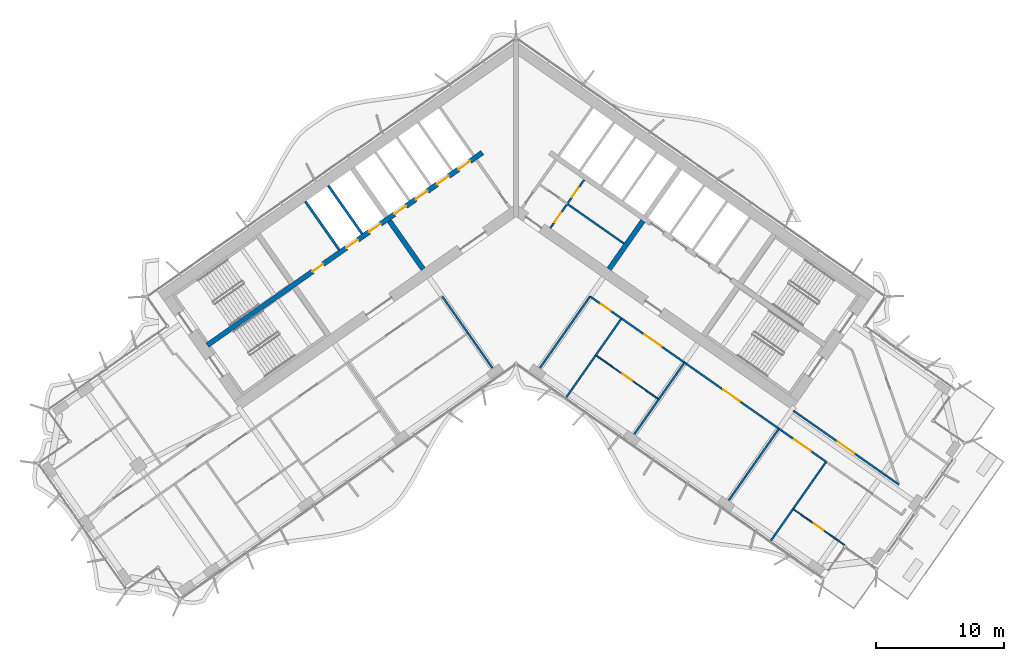
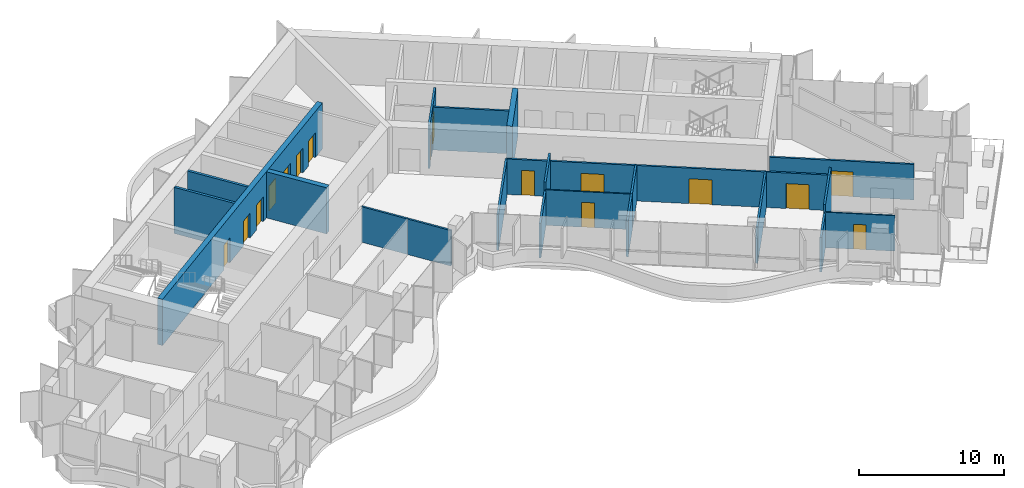
# One storey, part 14 of 23: 24 walls, 16 doors, 16 openings.
"""IFC4 building model written with IfcOpenShell, lengths in metres."""

import ifcopenshell
import ifcopenshell.guid

model = None  # the IFC model being written
_history = None  # IfcOwnerHistory: only IFC2X3 demands one
_inside = {}  # id of a spatial element -> (the spatial element, [elements in it])
_under = {}  # id of a project, library or spatial element -> (it, [spatial elements below it])
_declared = {}  # id of a project -> (the project, [libraries it declares])
_typed = {}  # id of a type object -> (the type object, [elements of that type])
_made_of = {}  # id of a material, layer set ... -> (it, [elements and type objects made of it])


def new_model(schema):
    """Start an empty IFC model of exactly this schema.

    Asked for "IFC4X3", IfcOpenShell would pick the latest addendum, in which some entities
    have other attributes; the version numbers below select the first issue.
    IFC2X3 requires an IfcOwnerHistory on every rooted entity: one is made here for all.
    """
    global model, _history
    if schema == "IFC4X3":
        model = ifcopenshell.file(schema_version=(4, 3, 0, 0))
    else:
        model = ifcopenshell.file(schema=schema)
    _inside.clear()
    _under.clear()
    _declared.clear()
    _typed.clear()
    _made_of.clear()
    _history = None
    if model.schema == "IFC2X3":
        org = make("IfcOrganization", Name="unknown")
        user = make(
            "IfcPersonAndOrganization",
            ThePerson=make("IfcPerson", FamilyName="unknown"),
            TheOrganization=org,
        )
        app = make(
            "IfcApplication",
            ApplicationDeveloper=org,
            Version="unknown",
            ApplicationFullName="unknown",
            ApplicationIdentifier="unknown",
        )
        _history = make(
            "IfcOwnerHistory",
            OwningUser=user,
            OwningApplication=app,
            ChangeAction="ADDED",
            CreationDate=0,
        )
    return model


def make(cls, **values):
    """One entity of the class cls with the attributes given. An attribute that is None is left unset."""
    return model.create_entity(
        cls, **{name: value for name, value in values.items() if value is not None}
    )


def rooted(cls, **values):
    """An entity with a GlobalId (a new one), such as an element, a storey or a relation."""
    return make(cls, GlobalId=ifcopenshell.guid.new(), OwnerHistory=_history, **values)


def si_unit(unit_type, name, prefix=None):
    """IfcSIUnit, for example si_unit("LENGTHUNIT", "METRE", prefix="MILLI")."""
    return make("IfcSIUnit", UnitType=unit_type, Prefix=prefix, Name=name)


def assignment(units):
    """IfcUnitAssignment: the units of a project."""
    return None if units is None else make("IfcUnitAssignment", Units=units)


def point(xyz):
    """IfcCartesianPoint."""
    return None if xyz is None else make("IfcCartesianPoint", Coordinates=xyz)


def direction(xyz):
    """IfcDirection."""
    return None if xyz is None else make("IfcDirection", DirectionRatios=xyz)


def frame(location, z_axis=None, x_axis=None):
    """IfcAxis2Placement3D, a coordinate frame: its origin and axes. An axis left out is left unset."""
    return make(
        "IfcAxis2Placement3D",
        Location=point(location),
        Axis=direction(z_axis),
        RefDirection=direction(x_axis),
    )


def frame_2d(location, x_axis=None):
    """IfcAxis2Placement2D, a coordinate frame in the plane: its origin and x axis."""
    return make(
        "IfcAxis2Placement2D", Location=point(location), RefDirection=direction(x_axis)
    )


def origin():
    """The frame at (0, 0, 0) with its axes left unset."""
    return frame((0.0, 0.0, 0.0))


def place(relative_to, where):
    """IfcLocalPlacement: puts the frame where relative to a parent placement (None: the world)."""
    return make(
        "IfcLocalPlacement", PlacementRelTo=relative_to, RelativePlacement=where
    )


def context(
    kind, dimensions, precision=None, world=None, true_north=None, identifier=None
):
    """IfcGeometricRepresentationContext, for example the 3D "Model" context."""
    return make(
        "IfcGeometricRepresentationContext",
        ContextIdentifier=identifier,
        ContextType=kind,
        CoordinateSpaceDimension=dimensions,
        Precision=precision,
        WorldCoordinateSystem=world,
        TrueNorth=true_north,
    )


def subcontext(parent, identifier, kind, view, scale=None):
    """IfcGeometricRepresentationSubContext, for example "Body" below "Model"."""
    return make(
        "IfcGeometricRepresentationSubContext",
        ContextIdentifier=identifier,
        ContextType=kind,
        ParentContext=parent,
        TargetScale=scale,
        TargetView=view,
    )


def project(units=None, contexts=None):
    """IfcProject with its units and contexts."""
    return rooted(
        "IfcProject",
        Name="project",
        RepresentationContexts=contexts,
        UnitsInContext=assignment(units),
    )


def spatial(cls, under=None, at=None, **own):
    """A site, building, storey or space (cls), placed at a placement, below another one or the project."""
    s = rooted(cls, ObjectPlacement=at, **own)
    if under is not None:
        _under.setdefault(under.id(), (under, []))[1].append(s)
    return s


def polyline(points):
    """IfcPolyline through the points."""
    return make("IfcPolyline", Points=[point(p) for p in points])


def profile(cls, at=None, kind="AREA", **sizes):
    """A parametric profile (cls). Its sizes go by their IFC names, for example OverallWidth=200.0."""
    return make(cls, ProfileType=kind, Position=at, **sizes)


def rectangle(**sizes):
    """IfcRectangleProfileDef."""
    return profile("IfcRectangleProfileDef", **sizes)


def outline(outer, holes=None, kind="AREA"):
    """IfcArbitraryClosedProfileDef: a profile drawn as a closed curve; with holes, ...WithVoids."""
    if holes is None:
        return make("IfcArbitraryClosedProfileDef", ProfileType=kind, OuterCurve=outer)
    return make(
        "IfcArbitraryProfileDefWithVoids",
        ProfileType=kind,
        OuterCurve=outer,
        InnerCurves=holes,
    )


def extrude(swept, where, along, depth):
    """IfcExtrudedAreaSolid: the profile swept, set in the frame where, extruded along a direction by depth."""
    return make(
        "IfcExtrudedAreaSolid",
        SweptArea=swept,
        Position=where,
        ExtrudedDirection=direction(along),
        Depth=depth,
    )


def shape(context_of_items, identifier, shape_type, items):
    """IfcShapeRepresentation: the items that make up one representation, for example the "Body"."""
    return make(
        "IfcShapeRepresentation",
        ContextOfItems=context_of_items,
        RepresentationIdentifier=identifier,
        RepresentationType=shape_type,
        Items=items,
    )


def material(Name=None, Category=None):
    """IfcMaterial."""
    return make("IfcMaterial", Name=Name, Category=Category)


def layer(
    of_material, thickness, ventilated=None, Name=None, Category=None, Priority=None
):
    """IfcMaterialLayer: one layer of a wall or slab, of a material (None: an air gap)."""
    return make(
        "IfcMaterialLayer",
        Material=of_material,
        LayerThickness=thickness,
        IsVentilated=ventilated,
        Name=Name,
        Category=Category,
        Priority=Priority,
    )


def layer_set(layers, Name=None):
    """IfcMaterialLayerSet."""
    return make("IfcMaterialLayerSet", MaterialLayers=layers, LayerSetName=Name)


def made_of(thing, what):
    """Note that an element or type object is made of a material, layer set ...; save() writes the relation."""
    if what is not None:
        _made_of.setdefault(what.id(), (what, []))[1].append(thing)
    return thing


def type_object(cls, material=None, **own):
    """A type object (cls), such as IfcWallType, which elements share."""
    return made_of(rooted(cls, **own), material)


def element(
    cls,
    number,
    at=None,
    inside=None,
    cuts=None,
    type_object=None,
    material=None,
    context=None,
    identifier="Body",
    shape_type=None,
    held_by="IfcProductDefinitionShape",
    body=None,
    shapes=None,
    **own,
):
    """One element of the class cls, such as IfcWall. Its Tag is "e" and its number.

    at: its placement. inside: the storey or other place that contains it. cuts: it is an
    opening in that element (IfcRelVoidsElement). A single representation is given by context,
    identifier, shape_type and body (its items); several are given by shapes. held_by: the class
    of the entity that holds the representations. save() writes the other relations.
    """
    e = rooted(cls, Tag="e%d" % number, ObjectPlacement=at, **own)
    if body is not None:
        shapes = [shape(context, identifier, shape_type, body)]
    if shapes is not None:
        e.Representation = make(held_by, Representations=shapes)
    if inside is not None:
        _inside.setdefault(inside.id(), (inside, []))[1].append(e)
    if cuts is not None:
        rooted(
            "IfcRelVoidsElement", RelatingBuildingElement=cuts, RelatedOpeningElement=e
        )
    if type_object is not None:
        _typed.setdefault(type_object.id(), (type_object, []))[1].append(e)
    return made_of(e, material)


def fill(opening, filler):
    """IfcRelFillsElement: the door or window that sits in an opening."""
    return rooted(
        "IfcRelFillsElement",
        RelatingOpeningElement=opening,
        RelatedBuildingElement=filler,
    )


def aggregate(whole, parts):
    """IfcRelAggregates: a whole, such as a stair, and the parts it consists of."""
    return rooted("IfcRelAggregates", RelatingObject=whole, RelatedObjects=parts)


def save(model, path):
    """Write the relations noted so far, then the file.

    IfcRelAggregates (storeys below a building ...), IfcRelContainedInSpatialStructure (elements
    in a storey), IfcRelDefinesByType, IfcRelAssociatesMaterial and IfcRelDeclares: one each for
    every whole, place, type object, material and project.
    """
    for whole, parts in _under.values():
        aggregate(whole, parts)
    for where, things in _inside.values():
        rooted(
            "IfcRelContainedInSpatialStructure",
            RelatedElements=things,
            RelatingStructure=where,
        )
    for kind, things in _typed.values():
        rooted("IfcRelDefinesByType", RelatedObjects=things, RelatingType=kind)
    for what, things in _made_of.values():
        rooted("IfcRelAssociatesMaterial", RelatedObjects=things, RelatingMaterial=what)
    for by, libraries in _declared.values():
        rooted("IfcRelDeclares", RelatingContext=by, RelatedDefinitions=libraries)
    model.write(path)


model = new_model("IFC4")

# Units and contexts
model_context = context("Model", 3, precision=1e-05, world=origin(), true_north=direction((0.0, 1.0)))
body_context = subcontext(model_context, "Body", "Model", "MODEL_VIEW")
ifc_project = project(units=[si_unit("LENGTHUNIT", "METRE"), si_unit("AREAUNIT", "SQUARE_METRE"), si_unit("VOLUMEUNIT", "CUBIC_METRE"), si_unit("PLANEANGLEUNIT", "RADIAN"), si_unit("MASSUNIT", "GRAM", prefix="KILO")], contexts=[model_context])

# Site, building, storey
site_placement = place(None, origin())
site = spatial("IfcSite", under=ifc_project, at=site_placement, CompositionType="ELEMENT")
building_placement = place(site_placement, origin())
building = spatial("IfcBuilding", under=site, at=building_placement, Name="Tel Ilan Convention Tower", CompositionType="ELEMENT")
storey_placement = place(building_placement, frame((0.0, 0.0, 190.5)))
storey = spatial("IfcBuildingStorey", under=building, at=storey_placement, Name="L44", CompositionType="ELEMENT", Elevation=190.5)

# Wall, openings, doors
ifc_material_1 = material(Name="Gypsum Plasterboard on Steel Stud", Category="steel")
ifc_layer_1 = layer(ifc_material_1, 0.14990234375)
ifc_layer_set_1 = layer_set([ifc_layer_1], Name="Core Room Partition Wall 150 mm EI 60")
wall_type_1 = type_object("IfcWallType", Name="Core Room Partition Wall 150 mm EI 60", PredefinedType="PARTITIONING", material=ifc_layer_set_1)
wall_1_placement = place(storey_placement, frame((2.67041015625, -2.114013671875, 0.0), z_axis=(0.0, 0.0, 1.0), x_axis=(0.573576324356, 0.819152122709, 0.0)))
wall_1 = element("IfcWall", 1, at=wall_1_placement, inside=storey, type_object=wall_type_1, Name="L44 core wall wc-v1", PredefinedType="PARTITIONING", context=body_context, shape_type="SweptSolid", body=[
    extrude(rectangle(XDim=4.599853515625, YDim=0.14990234375, at=frame_2d((2.2998046875, 0.0))), origin(), (0.0, 0.0, 1.0), 3.6201171875),
])
opening_1_placement = place(wall_1_placement, frame((0.550048828125, 0.0, 0.0)))
opening_1 = element("IfcOpeningElement", 2, at=opening_1_placement, cuts=wall_1, Name="Opening CD3410", PredefinedType="OPENING", context=body_context, shape_type="SweptSolid", body=[
    extrude(rectangle(XDim=0.89990234375, YDim=2.10009765625, at=frame_2d((0.449951171875, 1.050048828125))), frame((0.0, 0.0849609375, 0.0), z_axis=(0.0, -1.0, 0.0), x_axis=(1.0, 0.0, 0.0)), (0.0, 0.0, 1.0), 0.169921875),
])
opening_2_placement = place(wall_1_placement, frame((2.949951171875, 0.0, 0.0)))
opening_2 = element("IfcOpeningElement", 3, at=opening_2_placement, cuts=wall_1, Name="Opening CD3411", PredefinedType="OPENING", context=body_context, shape_type="SweptSolid", body=[
    extrude(rectangle(XDim=0.89990234375, YDim=2.10009765625, at=frame_2d((0.449951171875, 1.050048828125))), frame((0.0, 0.0849609375, 0.0), z_axis=(0.0, -1.0, 0.0), x_axis=(1.0, 0.0, 0.0)), (0.0, 0.0, 1.0), 0.169921875),
])
ifc_material_2 = material(Name="Laminated Timber Door Leaf", Category="wood")
door_type_1 = type_object("IfcDoorType", Name="Toilet Door 900 x 2100 FD30S", OperationType="NOTDEFINED", PredefinedType="DOOR", material=ifc_material_2)
door_1_placement = place(opening_1_placement, origin())
door_1 = element("IfcDoor", 4, at=door_1_placement, inside=storey, type_object=door_type_1, Name="Women's WC door", OperationType="SINGLE_SWING_RIGHT", OverallHeight=2.10009765625, OverallWidth=0.89990234375, PredefinedType="DOOR", context=body_context, shape_type="SweptSolid", body=[
    extrude(rectangle(XDim=0.89990234375, YDim=2.10009765625, at=frame_2d((0.449951171875, 1.050048828125))), frame((0.0, 0.02490234375, 0.0), z_axis=(0.0, -1.0, 0.0), x_axis=(1.0, 0.0, 0.0)), (0.0, 0.0, 1.0), 0.050048828125),
])
fill(opening_1, door_1)
door_2_placement = place(opening_2_placement, origin())
door_2 = element("IfcDoor", 5, at=door_2_placement, inside=storey, type_object=door_type_1, Name="Men's WC door", OperationType="SINGLE_SWING_RIGHT", OverallHeight=2.10009765625, OverallWidth=0.89990234375, PredefinedType="DOOR", context=body_context, shape_type="SweptSolid", body=[
    extrude(rectangle(XDim=0.89990234375, YDim=2.10009765625, at=frame_2d((0.449951171875, 1.050048828125))), frame((0.0, 0.02490234375, 0.0), z_axis=(0.0, -1.0, 0.0), x_axis=(1.0, 0.0, 0.0)), (0.0, 0.0, 1.0), 0.050048828125),
])
fill(opening_2, door_2)

# Walls
wall_2_placement = place(storey_placement, frame((3.989501953125, -0.22998046875, 0.0), z_axis=(0.0, 0.0, 1.0), x_axis=(0.819153326956, -0.573574604508, 0.0)))
element("IfcWall", 6, at=wall_2_placement, inside=storey, type_object=wall_type_1, Name="L44 core wall wc-h2", PredefinedType="PARTITIONING", context=body_context, shape_type="SweptSolid", body=[
    extrude(rectangle(XDim=5.400146484375, YDim=0.14990234375, at=frame_2d((2.7001953125, 0.0))), origin(), (0.0, 0.0, 1.0), 3.6201171875),
])
ifc_material_3 = material(Name="Concrete C50/60", Category="concrete")
ifc_layer_2 = layer(ifc_material_3, 0.39990234375)
ifc_layer_set_2 = layer_set([ifc_layer_2], Name="Core Shear Wall 400 mm C50/60")
wall_type_2 = type_object("IfcWallType", Name="Core Shear Wall 400 mm C50/60", PredefinedType="SHEAR", material=ifc_layer_set_2)
wall_3_placement = place(storey_placement, frame((-7.2578125, -5.325927734375, 0.0), z_axis=(0.0, 0.0, 1.0), x_axis=(-0.573540709186, 0.819177059558, 0.0)))
element("IfcWall", 7, at=wall_3_placement, inside=storey, type_object=wall_type_2, Name="L44 core wall W-cross1-1", PredefinedType="SHEAR", context=body_context, shape_type="SweptSolid", body=[
    extrude(outline(polyline([(4.599853515625, 0.2001953125), (-0.000244140625, 0.199951171875), (-0.000244140625, -0.2001953125), (4.599853515625, -0.199951171875), (4.599853515625, 0.2001953125)])), origin(), (0.0, 0.0, 1.0), 3.89990234375),
])

# Wall, openings, doors
wall_4_placement = place(storey_placement, frame((-2.638427734375, 3.76806640625, 0.0), z_axis=(0.0, 0.0, 1.0), x_axis=(-0.81915267502, -0.573575535572, 0.0)))
wall_4 = element("IfcWall", 8, at=wall_4_placement, inside=storey, type_object=wall_type_2, Name="L44 core wall W-spine", PredefinedType="SHEAR", context=body_context, shape_type="SweptSolid", body=[
    extrude(outline(polyline([(26.199951171875, 0.199951171875), (0.0, 0.199951171875), (0.0, -0.199951171875), (26.199951171875, -0.199951171875), (26.199951171875, 0.199951171875)])), origin(), (0.0, 0.0, 1.0), 3.89990234375),
])
opening_3_placement = place(wall_4_placement, frame((1.168701171875, 0.0, 0.0)))
opening_3 = element("IfcOpeningElement", 9, at=opening_3_placement, cuts=wall_4, Name="Opening LD3404", PredefinedType="OPENING", context=body_context, shape_type="SweptSolid", body=[
    extrude(rectangle(XDim=1.10009765625, YDim=2.10009765625, at=frame_2d((0.550048828125, 1.050048828125))), frame((0.0, 0.2099609375, 0.0), z_axis=(0.0, -1.0, 0.0), x_axis=(1.0, 0.0, 0.0)), (0.0, 0.0, 1.0), 0.419921875),
])
opening_4_placement = place(wall_4_placement, frame((3.206298828125, 0.0, 0.0)))
opening_4 = element("IfcOpeningElement", 10, at=opening_4_placement, cuts=wall_4, Name="Opening LD3405", PredefinedType="OPENING", context=body_context, shape_type="SweptSolid", body=[
    extrude(rectangle(XDim=1.10009765625, YDim=2.10009765625, at=frame_2d((0.550048828125, 1.050048828125))), frame((0.0, 0.2099609375, 0.0), z_axis=(0.0, -1.0, 0.0), x_axis=(1.0, 0.0, 0.0)), (0.0, 0.0, 1.0), 0.419921875),
])
opening_5_placement = place(wall_4_placement, frame((5.24365234375, 0.0, 0.0)))
opening_5 = element("IfcOpeningElement", 11, at=opening_5_placement, cuts=wall_4, Name="Opening LD3406", PredefinedType="OPENING", context=body_context, shape_type="SweptSolid", body=[
    extrude(rectangle(XDim=1.10009765625, YDim=2.10009765625, at=frame_2d((0.550048828125, 1.050048828125))), frame((0.0, 0.2099609375, 0.0), z_axis=(0.0, -1.0, 0.0), x_axis=(1.0, 0.0, 0.0)), (0.0, 0.0, 1.0), 0.419921875),
])
opening_6_placement = place(wall_4_placement, frame((7.28125, 0.0, 0.0)))
opening_6 = element("IfcOpeningElement", 12, at=opening_6_placement, cuts=wall_4, Name="Opening LD3407", PredefinedType="OPENING", context=body_context, shape_type="SweptSolid", body=[
    extrude(rectangle(XDim=1.10009765625, YDim=2.10009765625, at=frame_2d((0.550048828125, 1.050048828125))), frame((0.0, 0.2099609375, 0.0), z_axis=(0.0, -1.0, 0.0), x_axis=(1.0, 0.0, 0.0)), (0.0, 0.0, 1.0), 0.419921875),
])
opening_7_placement = place(wall_4_placement, frame((9.6875, 0.0, 0.0)))
opening_7 = element("IfcOpeningElement", 13, at=opening_7_placement, cuts=wall_4, Name="Opening LD3408", PredefinedType="OPENING", context=body_context, shape_type="SweptSolid", body=[
    extrude(rectangle(XDim=1.10009765625, YDim=2.10009765625, at=frame_2d((0.550048828125, 1.050048828125))), frame((0.0, 0.2099609375, 0.0), z_axis=(0.0, -1.0, 0.0), x_axis=(1.0, 0.0, 0.0)), (0.0, 0.0, 1.0), 0.419921875),
])
opening_8_placement = place(wall_4_placement, frame((11.862548828125, 0.0, 0.0)))
opening_8 = element("IfcOpeningElement", 14, at=opening_8_placement, cuts=wall_4, Name="Opening LD3409", PredefinedType="OPENING", context=body_context, shape_type="SweptSolid", body=[
    extrude(rectangle(XDim=1.10009765625, YDim=2.10009765625, at=frame_2d((0.550048828125, 1.050048828125))), frame((0.0, 0.2099609375, 0.0), z_axis=(0.0, -1.0, 0.0), x_axis=(1.0, 0.0, 0.0)), (0.0, 0.0, 1.0), 0.419921875),
])
opening_9_placement = place(wall_4_placement, frame((15.175048828125, 0.0, 0.0)))
opening_9 = element("IfcOpeningElement", 15, at=opening_9_placement, cuts=wall_4, Name="Opening CD3408", PredefinedType="OPENING", context=body_context, shape_type="SweptSolid", body=[
    extrude(rectangle(XDim=1.0, YDim=2.10009765625, at=frame_2d((0.5, 1.050048828125))), frame((0.0, 0.2099609375, 0.0), z_axis=(0.0, -1.0, 0.0), x_axis=(1.0, 0.0, 0.0)), (0.0, 0.0, 1.0), 0.419921875),
])
ifc_material_4 = material(Name="Stainless Steel Sliding Door Leaf", Category="steel")
door_type_2 = type_object("IfcDoorType", Name="Lift Landing Door 1100 x 2100 FD120", OperationType="NOTDEFINED", PredefinedType="DOOR", material=ifc_material_4)
door_3_placement = place(opening_3_placement, origin())
door_3 = element("IfcDoor", 16, at=door_3_placement, inside=storey, type_object=door_type_2, Name="Lift LR1 landing door", OperationType="SLIDING_TO_LEFT", OverallHeight=2.10009765625, OverallWidth=1.10009765625, PredefinedType="DOOR", context=body_context, shape_type="SweptSolid", body=[
    extrude(rectangle(XDim=1.10009765625, YDim=2.10009765625, at=frame_2d((0.550048828125, 1.050048828125))), frame((0.0, 0.02490234375, 0.0), z_axis=(0.0, -1.0, 0.0), x_axis=(1.0, 0.0, 0.0)), (0.0, 0.0, 1.0), 0.050048828125),
])
fill(opening_3, door_3)
door_4_placement = place(opening_4_placement, origin())
door_4 = element("IfcDoor", 17, at=door_4_placement, inside=storey, type_object=door_type_2, Name="Lift LR2 landing door", OperationType="SLIDING_TO_RIGHT", OverallHeight=2.10009765625, OverallWidth=1.10009765625, PredefinedType="DOOR", context=body_context, shape_type="SweptSolid", body=[
    extrude(rectangle(XDim=1.10009765625, YDim=2.10009765625, at=frame_2d((0.550048828125, 1.050048828125))), frame((0.0, 0.02490234375, 0.0), z_axis=(0.0, -1.0, 0.0), x_axis=(1.0, 0.0, 0.0)), (0.0, 0.0, 1.0), 0.050048828125),
])
fill(opening_4, door_4)
door_5_placement = place(opening_5_placement, origin())
door_5 = element("IfcDoor", 18, at=door_5_placement, inside=storey, type_object=door_type_2, Name="Lift LR3 landing door", OperationType="SLIDING_TO_LEFT", OverallHeight=2.10009765625, OverallWidth=1.10009765625, PredefinedType="DOOR", context=body_context, shape_type="SweptSolid", body=[
    extrude(rectangle(XDim=1.10009765625, YDim=2.10009765625, at=frame_2d((0.550048828125, 1.050048828125))), frame((0.0, 0.02490234375, 0.0), z_axis=(0.0, -1.0, 0.0), x_axis=(1.0, 0.0, 0.0)), (0.0, 0.0, 1.0), 0.050048828125),
])
fill(opening_5, door_5)
door_6_placement = place(opening_6_placement, origin())
door_6 = element("IfcDoor", 19, at=door_6_placement, inside=storey, type_object=door_type_2, Name="Lift LR4 landing door", OperationType="SLIDING_TO_RIGHT", OverallHeight=2.10009765625, OverallWidth=1.10009765625, PredefinedType="DOOR", context=body_context, shape_type="SweptSolid", body=[
    extrude(rectangle(XDim=1.10009765625, YDim=2.10009765625, at=frame_2d((0.550048828125, 1.050048828125))), frame((0.0, 0.02490234375, 0.0), z_axis=(0.0, -1.0, 0.0), x_axis=(1.0, 0.0, 0.0)), (0.0, 0.0, 1.0), 0.050048828125),
])
fill(opening_6, door_6)
door_7_placement = place(opening_7_placement, origin())
door_7 = element("IfcDoor", 20, at=door_7_placement, inside=storey, type_object=door_type_2, Name="Lift LR5 landing door", OperationType="SLIDING_TO_LEFT", OverallHeight=2.10009765625, OverallWidth=1.10009765625, PredefinedType="DOOR", context=body_context, shape_type="SweptSolid", body=[
    extrude(rectangle(XDim=1.10009765625, YDim=2.10009765625, at=frame_2d((0.550048828125, 1.050048828125))), frame((0.0, 0.02490234375, 0.0), z_axis=(0.0, -1.0, 0.0), x_axis=(1.0, 0.0, 0.0)), (0.0, 0.0, 1.0), 0.050048828125),
])
fill(opening_7, door_7)
door_8_placement = place(opening_8_placement, origin())
door_8 = element("IfcDoor", 21, at=door_8_placement, inside=storey, type_object=door_type_2, Name="Lift LR6 landing door", OperationType="SLIDING_TO_RIGHT", OverallHeight=2.10009765625, OverallWidth=1.10009765625, PredefinedType="DOOR", context=body_context, shape_type="SweptSolid", body=[
    extrude(rectangle(XDim=1.10009765625, YDim=2.10009765625, at=frame_2d((0.550048828125, 1.050048828125))), frame((0.0, 0.02490234375, 0.0), z_axis=(0.0, -1.0, 0.0), x_axis=(1.0, 0.0, 0.0)), (0.0, 0.0, 1.0), 0.050048828125),
])
fill(opening_8, door_8)
ifc_material_5 = material(Name="Galvanised Steel Door Leaf", Category="steel")
door_type_3 = type_object("IfcDoorType", Name="Service Room Door 1000 x 2100 FD60", OperationType="NOTDEFINED", PredefinedType="DOOR", material=ifc_material_5)
door_9_placement = place(opening_9_placement, origin())
door_9 = element("IfcDoor", 22, at=door_9_placement, inside=storey, type_object=door_type_3, Name="Plant Room door", OperationType="SINGLE_SWING_RIGHT", OverallHeight=2.10009765625, OverallWidth=1.0, PredefinedType="DOOR", context=body_context, shape_type="SweptSolid", body=[
    extrude(rectangle(XDim=1.0, YDim=2.10009765625, at=frame_2d((0.5, 1.050048828125))), frame((0.0, 0.02490234375, 0.0), z_axis=(0.0, -1.0, 0.0), x_axis=(1.0, 0.0, 0.0)), (0.0, 0.0, 1.0), 0.050048828125),
])
fill(opening_9, door_9)

# Wall
wall_5_placement = place(storey_placement, frame((7.2578125, -5.325927734375, 0.0), z_axis=(0.0, 0.0, 1.0), x_axis=(0.573540709186, 0.819177059558, 0.0)))
element("IfcWall", 23, at=wall_5_placement, inside=storey, type_object=wall_type_2, Name="L44 core wall E-cross1-1", PredefinedType="SHEAR", context=body_context, shape_type="SweptSolid", body=[
    extrude(outline(polyline([(-0.000244140625, 0.2001953125), (-0.000244140625, -0.199951171875), (4.599853515625, -0.2001953125), (4.599853515625, 0.199951171875), (-0.000244140625, 0.2001953125)])), origin(), (0.0, 0.0, 1.0), 3.89990234375),
])

# Wall, opening, door
ifc_material_6 = material(Name="Plasterboard on Steel Studs", Category="steel")
ifc_layer_3 = layer(ifc_material_6, 0.14990234375)
ifc_layer_set_3 = layer_set([ifc_layer_3], Name="Fire-rated Partition 150 EI 60")
wall_type_3 = type_object("IfcWallType", Name="Fire-rated Partition 150 EI 60", PredefinedType="PARTITIONING", material=ifc_layer_set_3)
wall_6_placement = place(storey_placement, frame((21.641845703125, -16.37451171875, 0.0), z_axis=(0.0, 0.0, 1.0), x_axis=(0.819157697527, -0.573568362606, 0.0)))
wall_6 = element("IfcWall", 24, at=wall_6_placement, inside=storey, type_object=wall_type_3, Name="Partition 001", PredefinedType="PARTITIONING", context=body_context, shape_type="SweptSolid", body=[
    extrude(rectangle(XDim=10.04541015625, YDim=0.14990234375, at=frame_2d((5.022705078125, 0.0))), origin(), (0.0, 0.0, 1.0), 3.0),
])
opening_10_placement = place(wall_6_placement, frame((4.22265625, 0.0, 0.0)))
opening_10 = element("IfcOpeningElement", 25, at=opening_10_placement, cuts=wall_6, Name="Opening L44-019", PredefinedType="OPENING", context=body_context, shape_type="SweptSolid", body=[
    extrude(rectangle(XDim=1.60009765625, YDim=2.10009765625, at=frame_2d((0.800048828125, 1.050048828125))), frame((0.0, 0.0849609375, 0.0), z_axis=(0.0, -1.0, 0.0), x_axis=(1.0, 0.0, 0.0)), (0.0, 0.0, 1.0), 0.169921875),
])
ifc_material_7 = material(Name="Timber Door Leaf in Steel Frame", Category="steel")
door_type_4 = type_object("IfcDoorType", Name="Tenant Suite Entrance Fire Door 1600x2100", OperationType="NOTDEFINED", PredefinedType="DOOR", material=ifc_material_7)
door_10_placement = place(opening_10_placement, origin())
door_10 = element("IfcDoor", 26, at=door_10_placement, inside=storey, type_object=door_type_4, Name="Door L44-019", OperationType="DOUBLE_DOOR_SINGLE_SWING", OverallHeight=2.10009765625, OverallWidth=1.60009765625, PredefinedType="DOOR", context=body_context, shape_type="SweptSolid", body=[
    extrude(rectangle(XDim=1.60009765625, YDim=2.10009765625, at=frame_2d((0.800048828125, 1.050048828125))), frame((0.0, 0.02490234375, 0.0), z_axis=(0.0, -1.0, 0.0), x_axis=(1.0, 0.0, 0.0)), (0.0, 0.0, 1.0), 0.050048828125),
])
fill(opening_10, door_10)

wall_7_placement = place(storey_placement, frame((8.225341796875, -9.177734375, 0.0), z_axis=(0.0, 0.0, 1.0), x_axis=(-0.819132568355, 0.573604249862, 0.0)))
wall_7 = element("IfcWall", 27, at=wall_7_placement, inside=storey, type_object=wall_type_3, Name="Partition 002", PredefinedType="PARTITIONING", context=body_context, shape_type="SweptSolid", body=[
    extrude(rectangle(XDim=3.001953125, YDim=0.14990234375, at=frame_2d((1.5009765625, 0.0))), origin(), (0.0, 0.0, 1.0), 3.0),
])
opening_11_placement = place(wall_7_placement, frame((1.051025390625, 0.0, 0.0)))
opening_11 = element("IfcOpeningElement", 28, at=opening_11_placement, cuts=wall_7, Name="Opening L44-012", PredefinedType="OPENING", context=body_context, shape_type="SweptSolid", body=[
    extrude(rectangle(XDim=0.89990234375, YDim=2.10009765625, at=frame_2d((0.449951171875, 1.050048828125))), frame((0.0, 0.0849609375, 0.0), z_axis=(0.0, -1.0, 0.0), x_axis=(1.0, 0.0, 0.0)), (0.0, 0.0, 1.0), 0.169921875),
])
ifc_material_8 = material(Name="Timber Door Leaf in Steel Frame", Category="steel")
door_type_5 = type_object("IfcDoorType", Name="Room Fire Door 900x2100", OperationType="NOTDEFINED", PredefinedType="DOOR", material=ifc_material_8)
door_11_placement = place(opening_11_placement, origin())
door_11 = element("IfcDoor", 29, at=door_11_placement, inside=storey, type_object=door_type_5, Name="Door L44-012", OperationType="SINGLE_SWING_LEFT", OverallHeight=2.10009765625, OverallWidth=0.89990234375, PredefinedType="DOOR", context=body_context, shape_type="SweptSolid", body=[
    extrude(rectangle(XDim=0.89990234375, YDim=2.10009765625, at=frame_2d((0.449951171875, 1.050048828125))), frame((0.0, 0.02490234375, 0.0), z_axis=(0.0, -1.0, 0.0), x_axis=(1.0, 0.0, 0.0)), (0.0, 0.0, 1.0), 0.050048828125),
])
fill(opening_11, door_11)

wall_8_placement = place(storey_placement, frame((13.140380859375, -12.619140625, 0.0), z_axis=(0.0, 0.0, 1.0), x_axis=(-0.819145946981, 0.573585144111, 0.0)))
wall_8 = element("IfcWall", 30, at=wall_8_placement, inside=storey, type_object=wall_type_3, Name="Partition 003", PredefinedType="PARTITIONING", context=body_context, shape_type="SweptSolid", body=[
    extrude(rectangle(XDim=6.004150390625, YDim=0.14990234375, at=frame_2d((3.001953125, 0.0))), origin(), (0.0, 0.0, 1.0), 3.0),
])
opening_12_placement = place(wall_8_placement, frame((2.201904296875, 0.0, 0.0)))
opening_12 = element("IfcOpeningElement", 31, at=opening_12_placement, cuts=wall_8, Name="Opening L44-013", PredefinedType="OPENING", context=body_context, shape_type="SweptSolid", body=[
    extrude(rectangle(XDim=1.60009765625, YDim=2.10009765625, at=frame_2d((0.800048828125, 1.050048828125))), frame((0.0, 0.0849609375, 0.0), z_axis=(0.0, -1.0, 0.0), x_axis=(1.0, 0.0, 0.0)), (0.0, 0.0, 1.0), 0.169921875),
])
door_12_placement = place(opening_12_placement, origin())
door_12 = element("IfcDoor", 32, at=door_12_placement, inside=storey, type_object=door_type_4, Name="Door L44-013", OperationType="DOUBLE_DOOR_SINGLE_SWING", OverallHeight=2.10009765625, OverallWidth=1.60009765625, PredefinedType="DOOR", context=body_context, shape_type="SweptSolid", body=[
    extrude(rectangle(XDim=1.60009765625, YDim=2.10009765625, at=frame_2d((0.800048828125, 1.050048828125))), frame((0.0, 0.02490234375, 0.0), z_axis=(0.0, -1.0, 0.0), x_axis=(1.0, 0.0, 0.0)), (0.0, 0.0, 1.0), 0.050048828125),
])
fill(opening_12, door_12)

wall_9_placement = place(storey_placement, frame((20.5126953125, -17.78125, 0.0), z_axis=(0.0, 0.0, 1.0), x_axis=(-0.819155480642, 0.5735715287, 0.0)))
wall_9 = element("IfcWall", 33, at=wall_9_placement, inside=storey, type_object=wall_type_3, Name="Partition 004", PredefinedType="PARTITIONING", context=body_context, shape_type="SweptSolid", body=[
    extrude(rectangle(XDim=9.003662109375, YDim=0.14990234375, at=frame_2d((4.501953125, 0.0))), origin(), (0.0, 0.0, 1.0), 3.0),
])
opening_13_placement = place(wall_9_placement, frame((3.701904296875, 0.0, 0.0)))
opening_13 = element("IfcOpeningElement", 34, at=opening_13_placement, cuts=wall_9, Name="Opening L44-015", PredefinedType="OPENING", context=body_context, shape_type="SweptSolid", body=[
    extrude(rectangle(XDim=1.60009765625, YDim=2.10009765625, at=frame_2d((0.800048828125, 1.050048828125))), frame((0.0, 0.0849609375, 0.0), z_axis=(0.0, -1.0, 0.0), x_axis=(1.0, 0.0, 0.0)), (0.0, 0.0, 1.0), 0.169921875),
])
door_13_placement = place(opening_13_placement, origin())
door_13 = element("IfcDoor", 35, at=door_13_placement, inside=storey, type_object=door_type_4, Name="Door L44-015", OperationType="DOUBLE_DOOR_SINGLE_SWING", OverallHeight=2.10009765625, OverallWidth=1.60009765625, PredefinedType="DOOR", context=body_context, shape_type="SweptSolid", body=[
    extrude(rectangle(XDim=1.60009765625, YDim=2.10009765625, at=frame_2d((0.800048828125, 1.050048828125))), frame((0.0, 0.02490234375, 0.0), z_axis=(0.0, -1.0, 0.0), x_axis=(1.0, 0.0, 0.0)), (0.0, 0.0, 1.0), 0.050048828125),
])
fill(opening_13, door_13)

wall_10_placement = place(storey_placement, frame((24.198974609375, -20.3623046875, 0.0), z_axis=(0.0, 0.0, 1.0), x_axis=(-0.819165703328, 0.573556928727, 0.0)))
wall_10 = element("IfcWall", 36, at=wall_10_placement, inside=storey, type_object=wall_type_3, Name="Partition 005", PredefinedType="PARTITIONING", context=body_context, shape_type="SweptSolid", body=[
    extrude(rectangle(XDim=4.50390625, YDim=0.14990234375, at=frame_2d((2.251953125, 0.0))), origin(), (0.0, 0.0, 1.0), 3.0),
])
opening_14_placement = place(wall_10_placement, frame((1.451904296875, 0.0, 0.0)))
opening_14 = element("IfcOpeningElement", 37, at=opening_14_placement, cuts=wall_10, Name="Opening L44-016", PredefinedType="OPENING", context=body_context, shape_type="SweptSolid", body=[
    extrude(rectangle(XDim=1.60009765625, YDim=2.10009765625, at=frame_2d((0.800048828125, 1.050048828125))), frame((0.0, 0.0849609375, 0.0), z_axis=(0.0, -1.0, 0.0), x_axis=(1.0, 0.0, 0.0)), (0.0, 0.0, 1.0), 0.169921875),
])
door_14_placement = place(opening_14_placement, origin())
door_14 = element("IfcDoor", 38, at=door_14_placement, inside=storey, type_object=door_type_4, Name="Door L44-016", OperationType="DOUBLE_DOOR_SINGLE_SWING", OverallHeight=2.10009765625, OverallWidth=1.60009765625, PredefinedType="DOOR", context=body_context, shape_type="SweptSolid", body=[
    extrude(rectangle(XDim=1.60009765625, YDim=2.10009765625, at=frame_2d((0.800048828125, 1.050048828125))), frame((0.0, 0.02490234375, 0.0), z_axis=(0.0, -1.0, 0.0), x_axis=(1.0, 0.0, 0.0)), (0.0, 0.0, 1.0), 0.050048828125),
])
fill(opening_14, door_14)

# Walls
wall_11_placement = place(storey_placement, frame((6.216796875, -12.042724609375, 0.0), z_axis=(0.0, 0.0, 1.0), x_axis=(-0.573523771938, -0.819188917785, 0.0)))
element("IfcWall", 39, at=wall_11_placement, inside=storey, type_object=wall_type_3, Name="Partition 019", PredefinedType="PARTITIONING", context=body_context, shape_type="SweptSolid", body=[
    extrude(rectangle(XDim=4.0009765625, YDim=0.14990234375, at=frame_2d((2.00048828125, 0.0))), origin(), (0.0, 0.0, 1.0), 2.89990234375),
])
wall_12_placement = place(storey_placement, frame((8.223876953125, -9.176513671875, 0.0), z_axis=(0.0, 0.0, 1.0), x_axis=(-0.573602698703, -0.819133654565, 0.0)))
element("IfcWall", 40, at=wall_12_placement, inside=storey, type_object=wall_type_3, Name="Partition 020", PredefinedType="PARTITIONING", context=body_context, shape_type="SweptSolid", body=[
    extrude(rectangle(XDim=3.501953125, YDim=0.14990234375, at=frame_2d((1.7509765625, 0.0))), origin(), (0.0, 0.0, 1.0), 3.6201171875),
])
wall_13_placement = place(storey_placement, frame((1.848876953125, -13.050537109375, 0.0), z_axis=(0.0, 0.0, 1.0), x_axis=(0.573577493031, 0.819151304393, 0.0)))
element("IfcWall", 41, at=wall_13_placement, inside=storey, type_object=wall_type_3, Name="Partition 021", PredefinedType="PARTITIONING", context=body_context, shape_type="SweptSolid", body=[
    extrude(rectangle(XDim=6.829833984375, YDim=0.14990234375, at=frame_2d((3.4150390625, 0.0))), origin(), (0.0, 0.0, 1.0), 3.0),
])
wall_14_placement = place(storey_placement, frame((11.130615234375, -15.48583984375, 0.0), z_axis=(0.0, 0.0, 1.0), x_axis=(-0.573560777794, -0.819163008306, 0.0)))
element("IfcWall", 42, at=wall_14_placement, inside=storey, type_object=wall_type_3, Name="Partition 023", PredefinedType="PARTITIONING", context=body_context, shape_type="SweptSolid", body=[
    extrude(rectangle(XDim=3.3291015625, YDim=0.14990234375, at=frame_2d((1.66455078125, 0.0))), origin(), (0.0, 0.0, 1.0), 3.0),
])
wall_15_placement = place(storey_placement, frame((13.138671875, -12.617919921875, 0.0), z_axis=(0.0, 0.0, 1.0), x_axis=(-0.573565328398, -0.819159822049, 0.0)))
element("IfcWall", 43, at=wall_15_placement, inside=storey, type_object=wall_type_3, Name="Partition 024", PredefinedType="PARTITIONING", context=body_context, shape_type="SweptSolid", body=[
    extrude(rectangle(XDim=3.500244140625, YDim=0.14990234375, at=frame_2d((1.75, 0.0))), origin(), (0.0, 0.0, 1.0), 3.0),
])
wall_16_placement = place(storey_placement, frame((20.510986328125, -17.7802734375, 0.0), z_axis=(0.0, 0.0, 1.0), x_axis=(-0.573577493031, -0.819151304393, 0.0)))
element("IfcWall", 44, at=wall_16_placement, inside=storey, type_object=wall_type_3, Name="Partition 025", PredefinedType="PARTITIONING", context=body_context, shape_type="SweptSolid", body=[
    extrude(rectangle(XDim=6.829833984375, YDim=0.14990234375, at=frame_2d((3.4150390625, 0.0))), origin(), (0.0, 0.0, 1.0), 3.0),
])
wall_17_placement = place(storey_placement, frame((21.61669921875, -24.046630859375, 0.0), z_axis=(0.0, 0.0, 1.0), x_axis=(-0.573555162214, -0.819166940189, 0.0)))
element("IfcWall", 45, at=wall_17_placement, inside=storey, type_object=wall_type_3, Name="Partition 026", PredefinedType="PARTITIONING", context=body_context, shape_type="SweptSolid", body=[
    extrude(rectangle(XDim=3.0009765625, YDim=0.14990234375, at=frame_2d((1.50048828125, 0.0))), origin(), (0.0, 0.0, 1.0), 2.89990234375),
])
wall_18_placement = place(storey_placement, frame((24.197265625, -20.361328125, 0.0), z_axis=(0.0, 0.0, 1.0), x_axis=(-0.573589723117, -0.819142740634, 0.0)))
element("IfcWall", 46, at=wall_18_placement, inside=storey, type_object=wall_type_3, Name="Partition 027", PredefinedType="PARTITIONING", context=body_context, shape_type="SweptSolid", body=[
    extrude(rectangle(XDim=4.501953125, YDim=0.14990234375, at=frame_2d((2.2509765625, 0.0))), origin(), (0.0, 0.0, 1.0), 3.6201171875),
])
wall_19_placement = place(storey_placement, frame((-1.848876953125, -13.050537109375, 0.0), z_axis=(0.0, 0.0, 1.0), x_axis=(-0.573600070244, 0.819135495151, 0.0)))
element("IfcWall", 47, at=wall_19_placement, inside=storey, type_object=wall_type_3, Name="Partition 029", PredefinedType="PARTITIONING", context=body_context, shape_type="SweptSolid", body=[
    extrude(rectangle(XDim=3.3310546875, YDim=0.14990234375, at=frame_2d((1.66552734375, 0.0))), origin(), (0.0, 0.0, 1.0), 3.0),
])
wall_20_placement = place(storey_placement, frame((-3.7578125, -10.324462890625, 0.0), z_axis=(0.0, 0.0, 1.0), x_axis=(-0.573560539213, 0.819163175355, 0.0)))
element("IfcWall", 48, at=wall_20_placement, inside=storey, type_object=wall_type_3, Name="Partition 030", PredefinedType="PARTITIONING", context=body_context, shape_type="SweptSolid", body=[
    extrude(rectangle(XDim=3.50390625, YDim=0.14990234375, at=frame_2d((1.751953125, 0.0))), origin(), (0.0, 0.0, 1.0), 3.0),
])
ifc_material_9 = material(Name="Concrete C30/37", Category="concrete")
ifc_layer_4 = layer(ifc_material_9, 0.199951171875)
ifc_layer_set_4 = layer_set([ifc_layer_4], Name="Lift Shaft Wall 200 mm C30/37")
wall_type_4 = type_object("IfcWallType", Name="Lift Shaft Wall 200 mm C30/37", PredefinedType="SOLIDWALL", material=ifc_layer_set_4)
for number, where, z_axis, x_axis, name in (
    (49, (-12.030029296875, -2.563720703125, 0.0), (0.0, 0.0, 1.0), (-0.573576324356, 0.819152122709, 0.0), "L44 core wall bank-W2-p0"),
    (50, (-13.811767578125, -3.811279296875, 0.0), (0.0, 0.0, 1.0), (-0.573576324356, 0.819152122709, 0.0), "L44 core wall bank-W2-p1"),
):
    element("IfcWall", number, at=place(storey_placement, frame(where, z_axis=z_axis, x_axis=x_axis)), inside=storey, type_object=wall_type_4, Name=name, PredefinedType="SOLIDWALL", context=body_context, shape_type="SweptSolid", body=[
        extrude(rectangle(XDim=4.599853515625, YDim=0.199951171875, at=frame_2d((2.2998046875, 0.0))), origin(), (0.0, 0.0, 1.0), 3.89990234375),
    ])

# Wall, opening, door
ifc_material_10 = material(Name="Plasterboard on Steel Studs", Category="steel")
ifc_layer_5 = layer(ifc_material_10, 0.10009765625)
ifc_layer_set_5 = layer_set([ifc_layer_5], Name="Plasterboard Partition 100")
wall_type_5 = type_object("IfcWallType", Name="Plasterboard Partition 100", PredefinedType="PARTITIONING", material=ifc_layer_set_5)
wall_21_placement = place(storey_placement, frame((11.130615234375, -15.48583984375, 0.0), z_axis=(0.0, 0.0, 1.0), x_axis=(-0.819149710902, 0.573579768758, 0.0)))
wall_21 = element("IfcWall", 51, at=wall_21_placement, inside=storey, type_object=wall_type_5, Name="Partition 022", PredefinedType="PARTITIONING", context=body_context, shape_type="SweptSolid", body=[
    extrude(rectangle(XDim=5.999755859375, YDim=0.10009765625, at=frame_2d((3.0, 0.0))), origin(), (0.0, 0.0, 1.0), 3.0),
])
opening_15_placement = place(wall_21_placement, frame((2.550048828125, 0.0, 0.0)))
opening_15 = element("IfcOpeningElement", 52, at=opening_15_placement, cuts=wall_21, Name="Opening L44-014", PredefinedType="OPENING", context=body_context, shape_type="SweptSolid", body=[
    extrude(rectangle(XDim=0.89990234375, YDim=2.10009765625, at=frame_2d((0.449951171875, 1.050048828125))), frame((0.0, 0.06005859375, 0.0), z_axis=(0.0, -1.0, 0.0), x_axis=(1.0, 0.0, 0.0)), (0.0, 0.0, 1.0), 0.1201171875),
])
ifc_material_11 = material(Name="Timber Door Leaf in Steel Frame", Category="steel")
door_type_6 = type_object("IfcDoorType", Name="Room Timber Door 900x2100", OperationType="NOTDEFINED", PredefinedType="DOOR", material=ifc_material_11)
door_15_placement = place(opening_15_placement, origin())
door_15 = element("IfcDoor", 53, at=door_15_placement, inside=storey, type_object=door_type_6, Name="Door L44-014", OperationType="SINGLE_SWING_RIGHT", OverallHeight=2.10009765625, OverallWidth=0.89990234375, PredefinedType="DOOR", context=body_context, shape_type="SweptSolid", body=[
    extrude(rectangle(XDim=0.89990234375, YDim=2.10009765625, at=frame_2d((0.449951171875, 1.050048828125))), frame((0.0, 0.02490234375, 0.0), z_axis=(0.0, -1.0, 0.0), x_axis=(1.0, 0.0, 0.0)), (0.0, 0.0, 1.0), 0.050048828125),
])
fill(opening_15, door_15)

wall_22_placement = place(storey_placement, frame((25.62939453125, -26.85888671875, 0.0), z_axis=(0.0, 0.0, 1.0), x_axis=(-0.819154669329, 0.573572687386, 0.0)))
wall_22 = element("IfcWall", 54, at=wall_22_placement, inside=storey, type_object=wall_type_5, Name="Partition 028", PredefinedType="PARTITIONING", context=body_context, shape_type="SweptSolid", body=[
    extrude(rectangle(XDim=4.900146484375, YDim=0.10009765625, at=frame_2d((2.4501953125, 0.0))), origin(), (0.0, 0.0, 1.0), 3.0),
])
opening_16_placement = place(wall_22_placement, frame((2.0, 0.0, 0.0)))
opening_16 = element("IfcOpeningElement", 55, at=opening_16_placement, cuts=wall_22, Name="Opening L44-018", PredefinedType="OPENING", context=body_context, shape_type="SweptSolid", body=[
    extrude(rectangle(XDim=0.89990234375, YDim=2.10009765625, at=frame_2d((0.449951171875, 1.050048828125))), frame((0.0, 0.06005859375, 0.0), z_axis=(0.0, -1.0, 0.0), x_axis=(1.0, 0.0, 0.0)), (0.0, 0.0, 1.0), 0.1201171875),
])
door_16_placement = place(opening_16_placement, origin())
door_16 = element("IfcDoor", 56, at=door_16_placement, inside=storey, type_object=door_type_6, Name="Door L44-018", OperationType="SINGLE_SWING_LEFT", OverallHeight=2.10009765625, OverallWidth=0.89990234375, PredefinedType="DOOR", context=body_context, shape_type="SweptSolid", body=[
    extrude(rectangle(XDim=0.89990234375, YDim=2.10009765625, at=frame_2d((0.449951171875, 1.050048828125))), frame((0.0, 0.02490234375, 0.0), z_axis=(0.0, -1.0, 0.0), x_axis=(1.0, 0.0, 0.0)), (0.0, 0.0, 1.0), 0.050048828125),
])
fill(opening_16, door_16)

save(model, "model.ifc")
